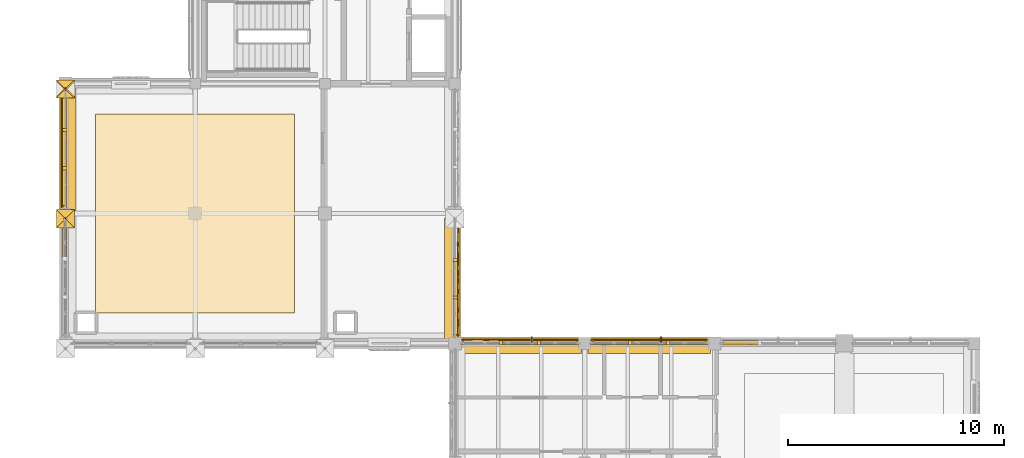
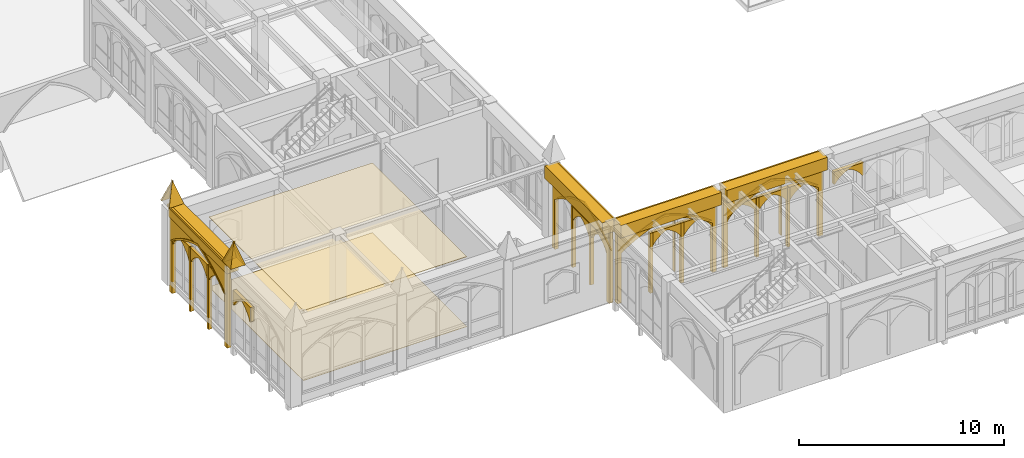
# One storey, part 90 of 127: 44 coverings, 2 shading devices.
"""IFC4 building model written with IfcOpenShell, lengths in metres."""

from ifc_helpers import new_model, si_unit, direction, frame, origin, origin_2d, place, context, subcontext, project, spatial, polyline, rectangle, outline, extrude, material, type_object, element, save


model = new_model("IFC4")

# Units and contexts
model_context = context("Model", 3, precision=1e-05, world=origin(), true_north=direction((0.0, 1.0)))
body_context = subcontext(model_context, "Body", "Model", "MODEL_VIEW")
ifc_project = project(units=[si_unit("LENGTHUNIT", "METRE"), si_unit("AREAUNIT", "SQUARE_METRE"), si_unit("VOLUMEUNIT", "CUBIC_METRE"), si_unit("PLANEANGLEUNIT", "RADIAN"), si_unit("MASSUNIT", "GRAM", prefix="KILO")], contexts=[model_context])

# Site, building, storey
site_placement = place(None, origin())
site = spatial("IfcSite", under=ifc_project, at=site_placement, CompositionType="ELEMENT")
building_placement = place(site_placement, origin())
building = spatial("IfcBuilding", under=site, at=building_placement, Name="Cumevento Cable Car Station", CompositionType="ELEMENT")
storey_placement = place(building_placement, frame((0.0, 0.0, 4.5)))
storey = spatial("IfcBuildingStorey", under=building, at=storey_placement, Name="L02", CompositionType="ELEMENT", Elevation=4.5)

# Coverings
ifc_material_1 = material(Name="Perforated Brazilian Ipe Timber Ceiling", Category="wood")
covering_type_1 = type_object("IfcCoveringType", Name="Acoustic Timber Ceiling CV-CE01", PredefinedType="CEILING", material=ifc_material_1)
covering_1_placement = place(storey_placement, frame((0.0, 0.0, 4.156982421875)))
element("IfcCovering", 1, at=covering_1_placement, inside=storey, type_object=covering_type_1, Name="Acoustic Timber Soffit Ceiling #5", PredefinedType="CEILING", context=body_context, shape_type="SweptSolid", body=[
    extrude(outline(polyline([(5.39990234375, 16.39990234375), (14.60009765625, 16.39990234375), (14.60009765625, 25.60009765625), (5.39990234375, 25.60009765625), (5.39990234375, 16.39990234375)])), origin(), (0.0, 0.0, 1.0), 0.028076171875),
])
ifc_material_2 = material(Name="Polished Carioca Granite Terrazzo Tile", Category="masonry")
covering_type_2 = type_object("IfcCoveringType", Name="Carioca Granite Flooring CV-FL01", PredefinedType="FLOORING", material=ifc_material_2)
covering_2_placement = place(storey_placement, origin())
element("IfcCovering", 2, at=covering_2_placement, inside=storey, type_object=covering_type_2, Name="Granite Terrazzo Floor Finish #5", PredefinedType="FLOORING", context=body_context, shape_type="SweptSolid", body=[
    extrude(outline(polyline([(5.39990234375, 16.39990234375), (14.60009765625, 16.39990234375), (14.60009765625, 25.60009765625), (5.39990234375, 25.60009765625), (5.39990234375, 16.39990234375)])), origin(), (0.0, 0.0, 1.0), 0.02197265625),
])

# Shading devices
ifc_material_3 = material(Name="Anodised Bronze Aluminium AW-6063-T6", Category="aluminium")
shading_device_type = type_object("IfcShadingDeviceType", Name="Bronze Lancet Brise-Soleil BS-01", PredefinedType="JALOUSIE", material=ifc_material_3)
shading_device_1_placement = place(storey_placement, frame((25.554931640625, 15.179931640625, 0.259765625), z_axis=(0.0, 0.0, 1.0), x_axis=(1.0, 0.0, 0.0)))
element("IfcShadingDevice", 3, at=shading_device_1_placement, inside=storey, type_object=shading_device_type, Name="Bronze Lancet Solar Fin #13", PredefinedType="JALOUSIE", context=body_context, shape_type="SweptSolid", body=[
    extrude(rectangle(XDim=0.054931640625, YDim=0.239990234375, at=origin_2d()), origin(), (0.0, 0.0, 1.0), 3.549072265625),
])
shading_device_2_placement = place(storey_placement, frame((31.530029296875, 15.179931640625, 0.31005859375), z_axis=(0.0, 0.0, 1.0), x_axis=(1.0, 0.0, 0.0)))
element("IfcShadingDevice", 4, at=shading_device_2_placement, inside=storey, type_object=shading_device_type, Name="Bronze Lancet Solar Fin #14", PredefinedType="JALOUSIE", context=body_context, shape_type="SweptSolid", body=[
    extrude(rectangle(XDim=0.054931640625, YDim=0.239990234375, at=origin_2d()), origin(), (0.0, 0.0, 1.0), 3.4990234375),
])

# Coverings
ifc_material_4 = material(Name="Gnaisse Facoidal Stone Ashlar 85 MPa", Category="masonry")
covering_type_3 = type_object("IfcCoveringType", Name="Gnaisse Ashlar Cladding CV-CL01", PredefinedType="CLADDING", material=ifc_material_4)
covering_3_placement = place(storey_placement, frame((3.580078125, 21.175048828125, 4.8701171875), z_axis=(0.0, 0.951521464273, 0.307582351618), x_axis=(1.0, 0.0, 0.0)))
element("IfcCovering", 5, at=covering_3_placement, inside=storey, type_object=covering_type_3, Name="Gothic Buttress Pinnacle Spire Facet 1 bt:4.0:21.0", PredefinedType="CLADDING", context=body_context, shape_type="SweptSolid", body=[
    extrude(outline(polyline([(0.0, 0.0), (0.83984375, 0.0), (0.419921875, -1.3660277106754315), (0.0, 0.0)])), origin(), (0.0, 0.0, -1.0), 0.0849609375),
])
covering_4_placement = place(storey_placement, frame((4.419921875, 21.175048828125, 4.8701171875), z_axis=(0.951573760476, 0.0, 0.30742052367), x_axis=(0.0, -1.0, 0.0)))
element("IfcCovering", 6, at=covering_4_placement, inside=storey, type_object=covering_type_3, Name="Gothic Buttress Pinnacle Spire Facet 2 bt:4.0:21.0", PredefinedType="CLADDING", context=body_context, shape_type="SweptSolid", body=[
    extrude(outline(polyline([(0.0, 0.0), (0.840087890625, 0.0), (0.420166015625, -1.3659526370817139), (0.0, 0.0)])), origin(), (0.0, 0.0, -1.0), 0.0849609375),
])
covering_5_placement = place(storey_placement, frame((4.419921875, 20.3349609375, 4.8701171875), z_axis=(0.0, -0.951573760476, 0.30742052367), x_axis=(-1.0, 0.0, 0.0)))
element("IfcCovering", 7, at=covering_5_placement, inside=storey, type_object=covering_type_3, Name="Gothic Buttress Pinnacle Spire Facet 3 bt:4.0:21.0", PredefinedType="CLADDING", context=body_context, shape_type="SweptSolid", body=[
    extrude(outline(polyline([(0.0, 0.0), (0.83984375, 0.0), (0.419921875, -1.3659526370817139), (0.0, 0.0)])), origin(), (0.0, 0.0, -1.0), 0.0849609375),
])
covering_6_placement = place(storey_placement, frame((3.580078125, 20.3349609375, 4.8701171875), z_axis=(-0.951573760476, 0.0, 0.30742052367), x_axis=(0.0, 1.0, 0.0)))
element("IfcCovering", 8, at=covering_6_placement, inside=storey, type_object=covering_type_3, Name="Gothic Buttress Pinnacle Spire Facet 4 bt:4.0:21.0", PredefinedType="CLADDING", context=body_context, shape_type="SweptSolid", body=[
    extrude(outline(polyline([(0.0, 0.0), (0.840087890625, 0.0), (0.419921875, -1.3659526370817139), (0.0, 0.0)])), origin(), (0.0, 0.0, -1.0), 0.0849609375),
])
covering_7_placement = place(storey_placement, frame((3.580078125, 27.175048828125, 4.8701171875), z_axis=(0.0, 0.951521464273, 0.307582351618), x_axis=(1.0, 0.0, 0.0)))
element("IfcCovering", 9, at=covering_7_placement, inside=storey, type_object=covering_type_3, Name="Gothic Buttress Pinnacle Spire Facet 1 bt:4.0:27.0", PredefinedType="CLADDING", context=body_context, shape_type="SweptSolid", body=[
    extrude(outline(polyline([(0.0, 0.0), (0.83984375, 0.0), (0.419921875, -1.3660277106754315), (0.0, 0.0)])), origin(), (0.0, 0.0, -1.0), 0.0849609375),
])
covering_8_placement = place(storey_placement, frame((4.419921875, 26.3349609375, 4.8701171875), z_axis=(0.0, -0.951573760476, 0.30742052367), x_axis=(-1.0, 0.0, 0.0)))
element("IfcCovering", 10, at=covering_8_placement, inside=storey, type_object=covering_type_3, Name="Gothic Buttress Pinnacle Spire Facet 3 bt:4.0:27.0", PredefinedType="CLADDING", context=body_context, shape_type="SweptSolid", body=[
    extrude(outline(polyline([(0.0, 0.0), (0.83984375, 0.0), (0.419921875, -1.3659526370817139), (0.0, 0.0)])), origin(), (0.0, 0.0, -1.0), 0.0849609375),
])
covering_9_placement = place(storey_placement, frame((25.012451171875, 14.85009765625, 3.7490234375), z_axis=(0.0, 0.0, 1.0), x_axis=(1.0, 0.0, 0.0)))
element("IfcCovering", 11, at=covering_9_placement, inside=storey, type_object=covering_type_3, Name="Gothic Stone Spandrel Stringcourse sc:0294", PredefinedType="CLADDING", context=body_context, shape_type="SweptSolid", body=[
    extrude(rectangle(XDim=5.6650390625, YDim=0.659912109375, at=origin_2d()), origin(), (0.0, 0.0, 1.0), 0.7470703125),
])
covering_10_placement = place(storey_placement, frame((25.012451171875, 15.20751953125, 4.365966796875), z_axis=(0.0, 0.0, 1.0), x_axis=(1.0, 0.0, 0.0)))
element("IfcCovering", 12, at=covering_10_placement, inside=storey, type_object=covering_type_3, Name="Gothic Cornice Dripstone Lip sc:0294", PredefinedType="CLADDING", context=body_context, shape_type="SweptSolid", body=[
    extrude(rectangle(XDim=5.705078125, YDim=0.114990234375, at=origin_2d()), origin(), (0.0, 0.0, 1.0), 0.1298828125),
])
covering_11_placement = place(storey_placement, frame((30.987548828125, 14.85009765625, 3.7490234375), z_axis=(0.0, 0.0, 1.0), x_axis=(1.0, 0.0, 0.0)))
element("IfcCovering", 13, at=covering_11_placement, inside=storey, type_object=covering_type_3, Name="Gothic Stone Spandrel Stringcourse sc:0295", PredefinedType="CLADDING", context=body_context, shape_type="SweptSolid", body=[
    extrude(rectangle(XDim=5.6650390625, YDim=0.659912109375, at=origin_2d()), origin(), (0.0, 0.0, 1.0), 0.7470703125),
])
covering_12_placement = place(storey_placement, frame((30.987548828125, 15.20751953125, 4.365966796875), z_axis=(0.0, 0.0, 1.0), x_axis=(1.0, 0.0, 0.0)))
element("IfcCovering", 14, at=covering_12_placement, inside=storey, type_object=covering_type_3, Name="Gothic Cornice Dripstone Lip sc:0295", PredefinedType="CLADDING", context=body_context, shape_type="SweptSolid", body=[
    extrude(rectangle(XDim=5.705078125, YDim=0.114990234375, at=origin_2d()), origin(), (0.0, 0.0, 1.0), 0.1298828125),
])
covering_13_placement = place(storey_placement, frame((4.14990234375, 23.97509765625, 4.032958984375), z_axis=(0.0, 0.0, 1.0), x_axis=(0.0, 1.0, 0.0)))
element("IfcCovering", 15, at=covering_13_placement, inside=storey, type_object=covering_type_3, Name="Gothic Stone Spandrel Stringcourse sc:0339", PredefinedType="CLADDING", context=body_context, shape_type="SweptSolid", body=[
    extrude(rectangle(XDim=5.68994140625, YDim=0.659912109375, at=origin_2d()), origin(), (0.0, 0.0, 1.0), 0.7470703125),
])
covering_14_placement = place(storey_placement, frame((3.79248046875, 23.97509765625, 4.650146484375), z_axis=(0.0, 0.0, 1.0), x_axis=(0.0, 1.0, 0.0)))
element("IfcCovering", 16, at=covering_14_placement, inside=storey, type_object=covering_type_3, Name="Gothic Cornice Dripstone Lip sc:0339", PredefinedType="CLADDING", context=body_context, shape_type="SweptSolid", body=[
    extrude(rectangle(XDim=5.72998046875, YDim=0.114990234375, at=origin_2d()), origin(), (0.0, 0.0, 1.0), 0.1298828125),
])
covering_15_placement = place(storey_placement, frame((21.85009765625, 17.987548828125, 3.7490234375), z_axis=(0.0, 0.0, 1.0), x_axis=(0.0, -1.0, 0.0)))
element("IfcCovering", 17, at=covering_15_placement, inside=storey, type_object=covering_type_3, Name="Gothic Stone Spandrel Stringcourse sc:0340", PredefinedType="CLADDING", context=body_context, shape_type="SweptSolid", body=[
    extrude(rectangle(XDim=5.614990234375, YDim=0.659912109375, at=origin_2d()), origin(), (0.0, 0.0, 1.0), 0.7470703125),
])
covering_16_placement = place(storey_placement, frame((22.20751953125, 17.987548828125, 4.365966796875), z_axis=(0.0, 0.0, 1.0), x_axis=(0.0, -1.0, 0.0)))
element("IfcCovering", 18, at=covering_16_placement, inside=storey, type_object=covering_type_3, Name="Gothic Cornice Dripstone Lip sc:0340", PredefinedType="CLADDING", context=body_context, shape_type="SweptSolid", body=[
    extrude(rectangle(XDim=5.655029296875, YDim=0.114990234375, at=origin_2d()), origin(), (0.0, 0.0, 1.0), 0.1298828125),
])
placement_1 = place(storey_placement, frame((22.300048828125, 15.0, -0.419921875), z_axis=(0.0, 0.0, 1.0), x_axis=(1.0, 0.0, 0.0)))
element("IfcCovering", 19, at=placement_1, inside=storey, type_object=covering_type_3, Name="Gothic Ogival Pointed-Arch Stone Spandrel cw_ogival:0018", PredefinedType="CLADDING", context=body_context, shape_type="SweptSolid", body=[
    extrude(outline(polyline([(-0.080078125, 0.0), (-0.080078125, 4.30908203125), (5.5048828125, 4.30908203125), (5.5048828125, 0.0), (5.264892578125, 0.0), (5.264892578125, 2.951416015625), (4.973388671875, 3.149658203125), (4.672607421875, 3.33349609375), (4.363037109375, 3.502197265625), (4.045654296875, 3.655517578125), (3.72119140625, 3.793212890625), (3.39013671875, 3.9150390625), (3.0537109375, 4.020263671875), (2.71240234375, 4.109130859375), (2.371337890625, 4.020263671875), (2.034912109375, 3.9150390625), (1.703857421875, 3.793212890625), (1.37939453125, 3.655517578125), (1.06201171875, 3.502197265625), (0.75244140625, 3.33349609375), (0.45166015625, 3.149658203125), (0.159912109375, 2.951416015625), (0.159912109375, 0.0), (-0.080078125, 0.0)])), frame((0.0, 0.139892578125, 0.0), z_axis=(0.0, -1.0, 0.0), x_axis=(1.0, 0.0, 0.0)), (0.0, 0.0, 1.0), 0.219970703125),
])
covering_18_placement = place(storey_placement, frame((22.300048828125, 15.0, 2.531494140625), z_axis=(0.0, 0.0, 1.0), x_axis=(1.0, 0.0, 0.0)))
element("IfcCovering", 20, at=covering_18_placement, inside=storey, type_object=covering_type_3, Name="Gothic Pointed Archivolt Hood Moulding cw_ogival:0018", PredefinedType="CLADDING", context=body_context, shape_type="SweptSolid", body=[
    extrude(outline(polyline([(0.159912109375, 0.0), (0.45166015625, 0.1982421875), (0.75244140625, 0.382080078125), (1.06201171875, 0.55078125), (1.37939453125, 0.7041015625), (1.703857421875, 0.841796875), (2.034912109375, 0.963623046875), (2.371337890625, 1.06884765625), (2.71240234375, 1.15771484375), (3.0537109375, 1.06884765625), (3.39013671875, 0.963623046875), (3.72119140625, 0.841796875), (4.045654296875, 0.7041015625), (4.363037109375, 0.55078125), (4.672607421875, 0.382080078125), (4.973388671875, 0.1982421875), (5.264892578125, 0.0), (5.375, 0.0), (5.074951171875, 0.22119140625), (4.763671875, 0.42626953125), (4.4423828125, 0.614990234375), (4.111572265625, 0.78662109375), (3.772216796875, 0.94091796875), (3.42529296875, 1.077392578125), (3.07177734375, 1.195556640625), (2.71240234375, 1.295166015625), (2.353271484375, 1.195556640625), (1.999755859375, 1.077392578125), (1.65283203125, 0.94091796875), (1.3134765625, 0.78662109375), (0.982666015625, 0.614990234375), (0.661376953125, 0.42626953125), (0.35009765625, 0.22119140625), (0.050048828125, 0.0), (0.159912109375, 0.0)])), frame((0.0, 0.181884765625, 0.0), z_axis=(0.0, -1.0, 0.0), x_axis=(1.0, 0.0, 0.0)), (0.0, 0.0, 1.0), 0.06689453125),
])
element("IfcCovering", 21, at=placement_1, inside=storey, type_object=covering_type_3, Name="Gothic Bifora Stone Colonnette cw_ogival:0018 #1", PredefinedType="CLADDING", context=body_context, shape_type="SweptSolid", body=[
    extrude(outline(polyline([(1.76171875, -0.02001953125), (1.91162109375, -0.02001953125), (1.91162109375, 3.553466796875), (1.76171875, 3.553466796875), (1.76171875, -0.02001953125)])), frame((0.0, 0.1279296875, 0.0), z_axis=(0.0, -1.0, 0.0), x_axis=(1.0, 0.0, 0.0)), (0.0, 0.0, 1.0), 0.205078125),
])
element("IfcCovering", 22, at=placement_1, inside=storey, type_object=covering_type_3, Name="Gothic Bifora Stone Colonnette cw_ogival:0018 #2", PredefinedType="CLADDING", context=body_context, shape_type="SweptSolid", body=[
    extrude(outline(polyline([(3.513427734375, -0.02001953125), (3.663330078125, -0.02001953125), (3.663330078125, 3.553466796875), (3.513427734375, 3.553466796875), (3.513427734375, -0.02001953125)])), frame((0.0, 0.1279296875, 0.0), z_axis=(0.0, -1.0, 0.0), x_axis=(1.0, 0.0, 0.0)), (0.0, 0.0, 1.0), 0.205078125),
])
for number, where, z_axis, x_axis, name in (
    (23, (24.181640625, 15.0, 2.351318359375), (0.0, 0.0, 1.0), (1.0, 0.0, 0.0), "Gothic Ogival Pointed-Arch Stone Spandrel cw_ogival:0018:sub:1"),
    (24, (25.933349609375, 15.0, 2.351318359375), (0.0, 0.0, 1.0), (1.0, 0.0, 0.0), "Gothic Ogival Pointed-Arch Stone Spandrel cw_ogival:0018:sub:2"),
):
    element("IfcCovering", number, at=place(storey_placement, frame(where, z_axis=z_axis, x_axis=x_axis)), inside=storey, type_object=covering_type_3, Name=name, PredefinedType="CLADDING", context=body_context, shape_type="SweptSolid", body=[
        extrude(outline(polyline([(-0.02001953125, 0.0), (-0.02001953125, 0.781982421875), (1.681640625, 0.781982421875), (1.681640625, 0.0), (1.62158203125, 0.0), (1.52197265625, 0.1435546875), (1.407470703125, 0.275634765625), (1.27978515625, 0.39501953125), (1.139892578125, 0.499755859375), (0.98974609375, 0.589111328125), (0.830810546875, 0.662109375), (0.671875, 0.589111328125), (0.521728515625, 0.499755859375), (0.3818359375, 0.39501953125), (0.254150390625, 0.275634765625), (0.1396484375, 0.1435546875), (0.0400390625, 0.0), (-0.02001953125, 0.0)])), frame((0.0, 0.1240234375, 0.0), z_axis=(0.0, -1.0, 0.0), x_axis=(1.0, 0.0, 0.0)), (0.0, 0.0, 1.0), 0.199951171875),
    ])
placement_2 = place(storey_placement, frame((28.27490234375, 15.0, -0.3701171875), z_axis=(0.0, 0.0, 1.0), x_axis=(1.0, 0.0, 0.0)))
element("IfcCovering", 25, at=placement_2, inside=storey, type_object=covering_type_3, Name="Gothic Ogival Pointed-Arch Stone Spandrel cw_ogival:0019", PredefinedType="CLADDING", context=body_context, shape_type="SweptSolid", body=[
    extrude(outline(polyline([(-0.080078125, 0.0), (-0.080078125, 4.259033203125), (5.5048828125, 4.259033203125), (5.5048828125, 0.0), (5.264892578125, 0.0), (5.264892578125, 2.91943359375), (4.97265625, 3.11474609375), (4.67138671875, 3.295654296875), (4.361572265625, 3.4619140625), (4.0439453125, 3.61279296875), (3.7197265625, 3.748291015625), (3.38916015625, 3.8681640625), (3.05322265625, 3.9716796875), (2.71240234375, 4.05908203125), (2.371826171875, 3.9716796875), (2.035888671875, 3.8681640625), (1.705322265625, 3.748291015625), (1.381103515625, 3.61279296875), (1.0634765625, 3.4619140625), (0.753662109375, 3.295654296875), (0.452392578125, 3.11474609375), (0.159912109375, 2.91943359375), (0.159912109375, 0.0), (-0.080078125, 0.0)])), frame((0.0, 0.139892578125, 0.0), z_axis=(0.0, -1.0, 0.0), x_axis=(1.0, 0.0, 0.0)), (0.0, 0.0, 1.0), 0.219970703125),
])
covering_22_placement = place(storey_placement, frame((28.27490234375, 15.0, 2.54931640625), z_axis=(0.0, 0.0, 1.0), x_axis=(1.0, 0.0, 0.0)))
element("IfcCovering", 26, at=covering_22_placement, inside=storey, type_object=covering_type_3, Name="Gothic Pointed Archivolt Hood Moulding cw_ogival:0019", PredefinedType="CLADDING", context=body_context, shape_type="SweptSolid", body=[
    extrude(outline(polyline([(0.159912109375, 0.0), (0.452392578125, 0.1953125), (0.753662109375, 0.376220703125), (1.0634765625, 0.54248046875), (1.381103515625, 0.693359375), (1.705322265625, 0.828857421875), (2.035888671875, 0.94873046875), (2.371826171875, 1.05224609375), (2.71240234375, 1.1396484375), (3.05322265625, 1.05224609375), (3.38916015625, 0.94873046875), (3.7197265625, 0.828857421875), (4.0439453125, 0.693359375), (4.361572265625, 0.54248046875), (4.67138671875, 0.376220703125), (4.97265625, 0.1953125), (5.264892578125, 0.0), (5.375, 0.0), (5.07421875, 0.21826171875), (4.762451171875, 0.420654296875), (4.440673828125, 0.606689453125), (4.109619140625, 0.77587890625), (3.7705078125, 0.927978515625), (3.424072265625, 1.0625), (3.071044921875, 1.178955078125), (2.71240234375, 1.277099609375), (2.35400390625, 1.178955078125), (2.0009765625, 1.0625), (1.654541015625, 0.927978515625), (1.3154296875, 0.77587890625), (0.984375, 0.606689453125), (0.66259765625, 0.420654296875), (0.350830078125, 0.21826171875), (0.050048828125, 0.0), (0.159912109375, 0.0)])), frame((0.0, 0.181884765625, 0.0), z_axis=(0.0, -1.0, 0.0), x_axis=(1.0, 0.0, 0.0)), (0.0, 0.0, 1.0), 0.06689453125),
])
element("IfcCovering", 27, at=placement_2, inside=storey, type_object=covering_type_3, Name="Gothic Bifora Stone Colonnette cw_ogival:0019 #1", PredefinedType="CLADDING", context=body_context, shape_type="SweptSolid", body=[
    extrude(outline(polyline([(1.76171875, -0.02001953125), (1.91162109375, -0.02001953125), (1.91162109375, 3.511962890625), (1.76171875, 3.511962890625), (1.76171875, -0.02001953125)])), frame((0.0, 0.1279296875, 0.0), z_axis=(0.0, -1.0, 0.0), x_axis=(1.0, 0.0, 0.0)), (0.0, 0.0, 1.0), 0.205078125),
])
element("IfcCovering", 28, at=placement_2, inside=storey, type_object=covering_type_3, Name="Gothic Bifora Stone Colonnette cw_ogival:0019 #2", PredefinedType="CLADDING", context=body_context, shape_type="SweptSolid", body=[
    extrude(outline(polyline([(3.513427734375, -0.02001953125), (3.663330078125, -0.02001953125), (3.663330078125, 3.511962890625), (3.513427734375, 3.511962890625), (3.513427734375, -0.02001953125)])), frame((0.0, 0.1279296875, 0.0), z_axis=(0.0, -1.0, 0.0), x_axis=(1.0, 0.0, 0.0)), (0.0, 0.0, 1.0), 0.205078125),
])
for number, where, z_axis, x_axis, name in (
    (29, (28.405029296875, 15.0, 2.369384765625), (0.0, 0.0, 1.0), (1.0, 0.0, 0.0), "Gothic Ogival Pointed-Arch Stone Spandrel cw_ogival:0019:sub:0"),
    (30, (30.15673828125, 15.0, 2.369384765625), (0.0, 0.0, 1.0), (1.0, 0.0, 0.0), "Gothic Ogival Pointed-Arch Stone Spandrel cw_ogival:0019:sub:1"),
    (31, (31.908447265625, 15.0, 2.369384765625), (0.0, 0.0, 1.0), (1.0, 0.0, 0.0), "Gothic Ogival Pointed-Arch Stone Spandrel cw_ogival:0019:sub:2"),
):
    element("IfcCovering", number, at=place(storey_placement, frame(where, z_axis=z_axis, x_axis=x_axis)), inside=storey, type_object=covering_type_3, Name=name, PredefinedType="CLADDING", context=body_context, shape_type="SweptSolid", body=[
        extrude(outline(polyline([(-0.02001953125, 0.0), (-0.02001953125, 0.772705078125), (1.681640625, 0.772705078125), (1.681640625, 0.0), (1.62158203125, 0.0), (1.521240234375, 0.141845703125), (1.40625, 0.27197265625), (1.2783203125, 0.3896484375), (1.138671875, 0.492919921875), (0.989013671875, 0.580810546875), (0.830810546875, 0.652587890625), (0.672607421875, 0.580810546875), (0.52294921875, 0.492919921875), (0.38330078125, 0.3896484375), (0.25537109375, 0.27197265625), (0.140380859375, 0.141845703125), (0.0400390625, 0.0), (-0.02001953125, 0.0)])), frame((0.0, 0.1240234375, 0.0), z_axis=(0.0, -1.0, 0.0), x_axis=(1.0, 0.0, 0.0)), (0.0, 0.0, 1.0), 0.199951171875),
    ])
covering_25_placement = place(storey_placement, frame((34.429931640625, 15.0, 2.405517578125), z_axis=(0.0, 0.0, 1.0), x_axis=(1.0, 0.0, 0.0)))
element("IfcCovering", 32, at=covering_25_placement, inside=storey, type_object=covering_type_3, Name="Gothic Ogival Pointed-Arch Stone Spandrel cw_ogival:0021:sub:0", PredefinedType="CLADDING", context=body_context, shape_type="SweptSolid", body=[
    extrude(outline(polyline([(-0.02001953125, 0.0), (-0.02001953125, 0.75390625), (1.639892578125, 0.75390625), (1.639892578125, 0.0), (1.580078125, 0.0), (1.482177734375, 0.1376953125), (1.370361328125, 0.264404296875), (1.245849609375, 0.37841796875), (1.10986328125, 0.478759765625), (0.964111328125, 0.564208984375), (0.81005859375, 0.6337890625), (0.656005859375, 0.564208984375), (0.51025390625, 0.478759765625), (0.374267578125, 0.37841796875), (0.249755859375, 0.264404296875), (0.137939453125, 0.1376953125), (0.0400390625, 0.0), (-0.02001953125, 0.0)])), frame((0.0, 0.1240234375, 0.0), z_axis=(0.0, -1.0, 0.0), x_axis=(1.0, 0.0, 0.0)), (0.0, 0.0, 1.0), 0.199951171875),
])
covering_26_placement = place(storey_placement, frame((4.0, 18.949951171875, 2.4970703125), z_axis=(0.0, 0.0, 1.0), x_axis=(0.0, 1.0, 0.0)))
element("IfcCovering", 33, at=covering_26_placement, inside=storey, type_object=covering_type_3, Name="Gothic Ogival Pointed-Arch Stone Spandrel cw_ogival:0048:sub:2", PredefinedType="CLADDING", context=body_context, shape_type="SweptSolid", body=[
    extrude(outline(polyline([(-0.02001953125, 0.0), (-0.02001953125, 0.85400390625), (1.68994140625, 0.85400390625), (1.68994140625, 0.0), (1.6298828125, 0.0), (1.535400390625, 0.15771484375), (1.423583984375, 0.303466796875), (1.2958984375, 0.435791015625), (1.154052734375, 0.552490234375), (0.999755859375, 0.65234375), (0.8349609375, 0.73388671875), (0.670166015625, 0.65234375), (0.515869140625, 0.552490234375), (0.3740234375, 0.435791015625), (0.246337890625, 0.303466796875), (0.134521484375, 0.15771484375), (0.0400390625, 0.0), (-0.02001953125, 0.0)])), frame((0.0, 0.1240234375, 0.0), z_axis=(0.0, -1.0, 0.0), x_axis=(1.0, 0.0, 0.0)), (0.0, 0.0, 1.0), 0.199951171875),
])
placement_3 = place(storey_placement, frame((22.0, 20.675048828125, -0.469970703125), z_axis=(0.0, 0.0, 1.0), x_axis=(0.0, -1.0, 0.0)))
element("IfcCovering", 34, at=placement_3, inside=storey, type_object=covering_type_3, Name="Gothic Ogival Pointed-Arch Stone Spandrel cw_ogival:0049", PredefinedType="CLADDING", context=body_context, shape_type="SweptSolid", body=[
    extrude(outline(polyline([(-0.080078125, 0.0), (-0.080078125, 4.35888671875), (5.455078125, 4.35888671875), (5.455078125, 0.0), (5.215087890625, 0.0), (5.215087890625, 2.9833984375), (4.927734375, 3.1845703125), (4.630615234375, 3.370849609375), (4.324462890625, 3.542236328125), (4.01025390625, 3.6982421875), (3.688720703125, 3.838134765625), (3.3603515625, 3.961669921875), (3.0263671875, 4.06884765625), (2.6875, 4.158935546875), (2.3486328125, 4.06884765625), (2.0146484375, 3.961669921875), (1.686279296875, 3.838134765625), (1.36474609375, 3.6982421875), (1.050537109375, 3.542236328125), (0.744384765625, 3.370849609375), (0.447265625, 3.1845703125), (0.159912109375, 2.9833984375), (0.159912109375, 0.0), (-0.080078125, 0.0)])), frame((0.0, 0.139892578125, 0.0), z_axis=(0.0, -1.0, 0.0), x_axis=(1.0, 0.0, 0.0)), (0.0, 0.0, 1.0), 0.219970703125),
])
covering_28_placement = place(storey_placement, frame((22.0, 20.675048828125, 2.513427734375), z_axis=(0.0, 0.0, 1.0), x_axis=(0.0, -1.0, 0.0)))
element("IfcCovering", 35, at=covering_28_placement, inside=storey, type_object=covering_type_3, Name="Gothic Pointed Archivolt Hood Moulding cw_ogival:0049", PredefinedType="CLADDING", context=body_context, shape_type="SweptSolid", body=[
    extrude(outline(polyline([(0.159912109375, 0.0), (0.447265625, 0.201171875), (0.744384765625, 0.387451171875), (1.050537109375, 0.558837890625), (1.36474609375, 0.71484375), (1.686279296875, 0.854736328125), (2.0146484375, 0.978271484375), (2.3486328125, 1.08544921875), (2.6875, 1.175537109375), (3.0263671875, 1.08544921875), (3.3603515625, 0.978271484375), (3.688720703125, 0.854736328125), (4.01025390625, 0.71484375), (4.324462890625, 0.558837890625), (4.630615234375, 0.387451171875), (4.927734375, 0.201171875), (5.215087890625, 0.0), (5.324951171875, 0.0), (5.029052734375, 0.223876953125), (4.721923828125, 0.431884765625), (4.40380859375, 0.623046875), (4.076171875, 0.797119140625), (3.73974609375, 0.95361328125), (3.3955078125, 1.092041015625), (3.04443359375, 1.2119140625), (2.6875, 1.31298828125), (2.33056640625, 1.2119140625), (1.9794921875, 1.092041015625), (1.63525390625, 0.95361328125), (1.298828125, 0.797119140625), (0.97119140625, 0.623046875), (0.653076171875, 0.431884765625), (0.345947265625, 0.223876953125), (0.050048828125, 0.0), (0.159912109375, 0.0)])), frame((0.0, 0.181884765625, 0.0), z_axis=(0.0, -1.0, 0.0), x_axis=(1.0, 0.0, 0.0)), (0.0, 0.0, 1.0), 0.06689453125),
])
element("IfcCovering", 36, at=placement_3, inside=storey, type_object=covering_type_3, Name="Gothic Bifora Stone Colonnette cw_ogival:0049 #1", PredefinedType="CLADDING", context=body_context, shape_type="SweptSolid", body=[
    extrude(outline(polyline([(1.7451171875, -0.02001953125), (1.89501953125, -0.02001953125), (1.89501953125, 3.5947265625), (1.7451171875, 3.5947265625), (1.7451171875, -0.02001953125)])), frame((0.0, 0.1279296875, 0.0), z_axis=(0.0, -1.0, 0.0), x_axis=(1.0, 0.0, 0.0)), (0.0, 0.0, 1.0), 0.205078125),
])
element("IfcCovering", 37, at=placement_3, inside=storey, type_object=covering_type_3, Name="Gothic Bifora Stone Colonnette cw_ogival:0049 #2", PredefinedType="CLADDING", context=body_context, shape_type="SweptSolid", body=[
    extrude(outline(polyline([(3.47998046875, -0.02001953125), (3.6298828125, -0.02001953125), (3.6298828125, 3.5947265625), (3.47998046875, 3.5947265625), (3.47998046875, -0.02001953125)])), frame((0.0, 0.1279296875, 0.0), z_axis=(0.0, -1.0, 0.0), x_axis=(1.0, 0.0, 0.0)), (0.0, 0.0, 1.0), 0.205078125),
])
for number, where, z_axis, x_axis, name in (
    (38, (22.0, 18.81005859375, 2.33349609375), (0.0, 0.0, 1.0), (0.0, -1.0, 0.0), "Gothic Ogival Pointed-Arch Stone Spandrel cw_ogival:0049:sub:1"),
    (39, (22.0, 17.074951171875, 2.33349609375), (0.0, 0.0, 1.0), (0.0, -1.0, 0.0), "Gothic Ogival Pointed-Arch Stone Spandrel cw_ogival:0049:sub:2"),
):
    element("IfcCovering", number, at=place(storey_placement, frame(where, z_axis=z_axis, x_axis=x_axis)), inside=storey, type_object=covering_type_3, Name=name, PredefinedType="CLADDING", context=body_context, shape_type="SweptSolid", body=[
        extrude(outline(polyline([(-0.02001953125, 0.0), (-0.02001953125, 0.791259765625), (1.6650390625, 0.791259765625), (1.6650390625, 0.0), (1.60498046875, 0.0), (1.5078125, 0.145263671875), (1.395263671875, 0.279052734375), (1.26904296875, 0.400146484375), (1.13037109375, 0.506591796875), (0.98095703125, 0.59716796875), (0.822509765625, 0.67138671875), (0.6640625, 0.59716796875), (0.5146484375, 0.506591796875), (0.3759765625, 0.400146484375), (0.249755859375, 0.279052734375), (0.13720703125, 0.145263671875), (0.0400390625, 0.0), (-0.02001953125, 0.0)])), frame((0.0, 0.1240234375, 0.0), z_axis=(0.0, -1.0, 0.0), x_axis=(1.0, 0.0, 0.0)), (0.0, 0.0, 1.0), 0.199951171875),
    ])
placement_4 = place(storey_placement, frame((4.0, 21.25, -0.419921875), z_axis=(0.0, 0.0, 1.0), x_axis=(0.0, 1.0, 0.0)))
element("IfcCovering", 40, at=placement_4, inside=storey, type_object=covering_type_3, Name="Gothic Ogival Pointed-Arch Stone Spandrel cw_ogival:0050", PredefinedType="CLADDING", context=body_context, shape_type="SweptSolid", body=[
    extrude(outline(polyline([(-0.080078125, 0.0), (-0.080078125, 4.593017578125), (5.530029296875, 4.593017578125), (5.530029296875, 0.0), (5.2900390625, 0.0), (5.2900390625, 3.133056640625), (5.00146484375, 3.34814453125), (4.701904296875, 3.547607421875), (4.392578125, 3.731201171875), (4.07373046875, 3.898193359375), (3.746826171875, 4.04833984375), (3.412353515625, 4.180908203125), (3.071533203125, 4.2958984375), (2.72509765625, 4.39306640625), (2.37841796875, 4.2958984375), (2.03759765625, 4.180908203125), (1.703125, 4.04833984375), (1.376220703125, 3.898193359375), (1.057373046875, 3.731201171875), (0.748046875, 3.547607421875), (0.448486328125, 3.34814453125), (0.159912109375, 3.133056640625), (0.159912109375, 0.0), (-0.080078125, 0.0)])), frame((0.0, 0.139892578125, 0.0), z_axis=(0.0, -1.0, 0.0), x_axis=(1.0, 0.0, 0.0)), (0.0, 0.0, 1.0), 0.219970703125),
])
covering_32_placement = place(storey_placement, frame((4.0, 21.25, 2.713134765625), z_axis=(0.0, 0.0, 1.0), x_axis=(0.0, 1.0, 0.0)))
element("IfcCovering", 41, at=covering_32_placement, inside=storey, type_object=covering_type_3, Name="Gothic Pointed Archivolt Hood Moulding cw_ogival:0050", PredefinedType="CLADDING", context=body_context, shape_type="SweptSolid", body=[
    extrude(outline(polyline([(0.159912109375, 0.0), (0.448486328125, 0.215087890625), (0.748046875, 0.41455078125), (1.057373046875, 0.59814453125), (1.376220703125, 0.76513671875), (1.703125, 0.915283203125), (2.03759765625, 1.0478515625), (2.37841796875, 1.162841796875), (2.72509765625, 1.260009765625), (3.071533203125, 1.162841796875), (3.412353515625, 1.0478515625), (3.746826171875, 0.915283203125), (4.07373046875, 0.76513671875), (4.392578125, 0.59814453125), (4.701904296875, 0.41455078125), (5.00146484375, 0.215087890625), (5.2900390625, 0.0), (5.39990234375, 0.0), (5.10302734375, 0.23779296875), (4.79345703125, 0.45849609375), (4.47216796875, 0.662109375), (4.14013671875, 0.847412109375), (3.79833984375, 1.01416015625), (3.44775390625, 1.16162109375), (3.089599609375, 1.28955078125), (2.72509765625, 1.3974609375), (2.3603515625, 1.28955078125), (2.002197265625, 1.16162109375), (1.651611328125, 1.01416015625), (1.309814453125, 0.847412109375), (0.977783203125, 0.662109375), (0.656494140625, 0.45849609375), (0.346923828125, 0.23779296875), (0.050048828125, 0.0), (0.159912109375, 0.0)])), frame((0.0, 0.181884765625, 0.0), z_axis=(0.0, -1.0, 0.0), x_axis=(1.0, 0.0, 0.0)), (0.0, 0.0, 1.0), 0.06689453125),
])
element("IfcCovering", 42, at=placement_4, inside=storey, type_object=covering_type_3, Name="Gothic Bifora Stone Colonnette cw_ogival:0050 #1", PredefinedType="CLADDING", context=body_context, shape_type="SweptSolid", body=[
    extrude(outline(polyline([(1.77001953125, -0.02001953125), (1.919921875, -0.02001953125), (1.919921875, 3.7880859375), (1.77001953125, 3.7880859375), (1.77001953125, -0.02001953125)])), frame((0.0, 0.1279296875, 0.0), z_axis=(0.0, -1.0, 0.0), x_axis=(1.0, 0.0, 0.0)), (0.0, 0.0, 1.0), 0.205078125),
])
element("IfcCovering", 43, at=placement_4, inside=storey, type_object=covering_type_3, Name="Gothic Bifora Stone Colonnette cw_ogival:0050 #2", PredefinedType="CLADDING", context=body_context, shape_type="SweptSolid", body=[
    extrude(outline(polyline([(3.530029296875, -0.02001953125), (3.679931640625, -0.02001953125), (3.679931640625, 3.7880859375), (3.530029296875, 3.7880859375), (3.530029296875, -0.02001953125)])), frame((0.0, 0.1279296875, 0.0), z_axis=(0.0, -1.0, 0.0), x_axis=(1.0, 0.0, 0.0)), (0.0, 0.0, 1.0), 0.205078125),
])
for number, where, z_axis, x_axis, name in (
    (44, (4.0, 21.3798828125, 2.533203125), (0.0, 0.0, 1.0), (0.0, 1.0, 0.0), "Gothic Ogival Pointed-Arch Stone Spandrel cw_ogival:0050:sub:0"),
    (45, (4.0, 23.139892578125, 2.533203125), (0.0, 0.0, 1.0), (0.0, 1.0, 0.0), "Gothic Ogival Pointed-Arch Stone Spandrel cw_ogival:0050:sub:1"),
    (46, (4.0, 24.89990234375, 2.533203125), (0.0, 0.0, 1.0), (0.0, 1.0, 0.0), "Gothic Ogival Pointed-Arch Stone Spandrel cw_ogival:0050:sub:2"),
):
    element("IfcCovering", number, at=place(storey_placement, frame(where, z_axis=z_axis, x_axis=x_axis)), inside=storey, type_object=covering_type_3, Name=name, PredefinedType="CLADDING", context=body_context, shape_type="SweptSolid", body=[
        extrude(outline(polyline([(-0.02001953125, 0.0), (-0.02001953125, 0.835205078125), (1.68994140625, 0.835205078125), (1.68994140625, 0.0), (1.6298828125, 0.0), (1.533935546875, 0.154052734375), (1.421142578125, 0.29638671875), (1.293212890625, 0.425048828125), (1.151611328125, 0.538818359375), (0.998291015625, 0.6357421875), (0.8349609375, 0.715087890625), (0.671630859375, 0.6357421875), (0.518310546875, 0.538818359375), (0.376708984375, 0.425048828125), (0.248779296875, 0.29638671875), (0.135986328125, 0.154052734375), (0.0400390625, 0.0), (-0.02001953125, 0.0)])), frame((0.0, 0.1240234375, 0.0), z_axis=(0.0, -1.0, 0.0), x_axis=(1.0, 0.0, 0.0)), (0.0, 0.0, 1.0), 0.199951171875),
    ])

save(model, "model.ifc")
